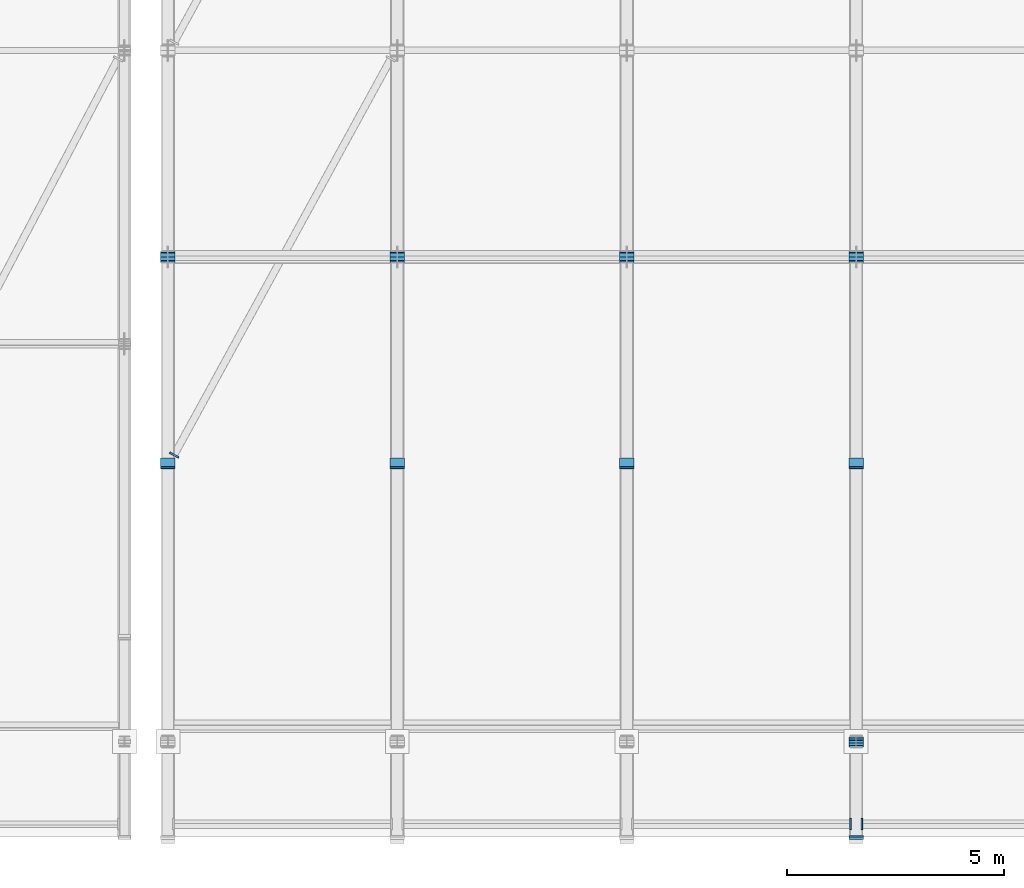
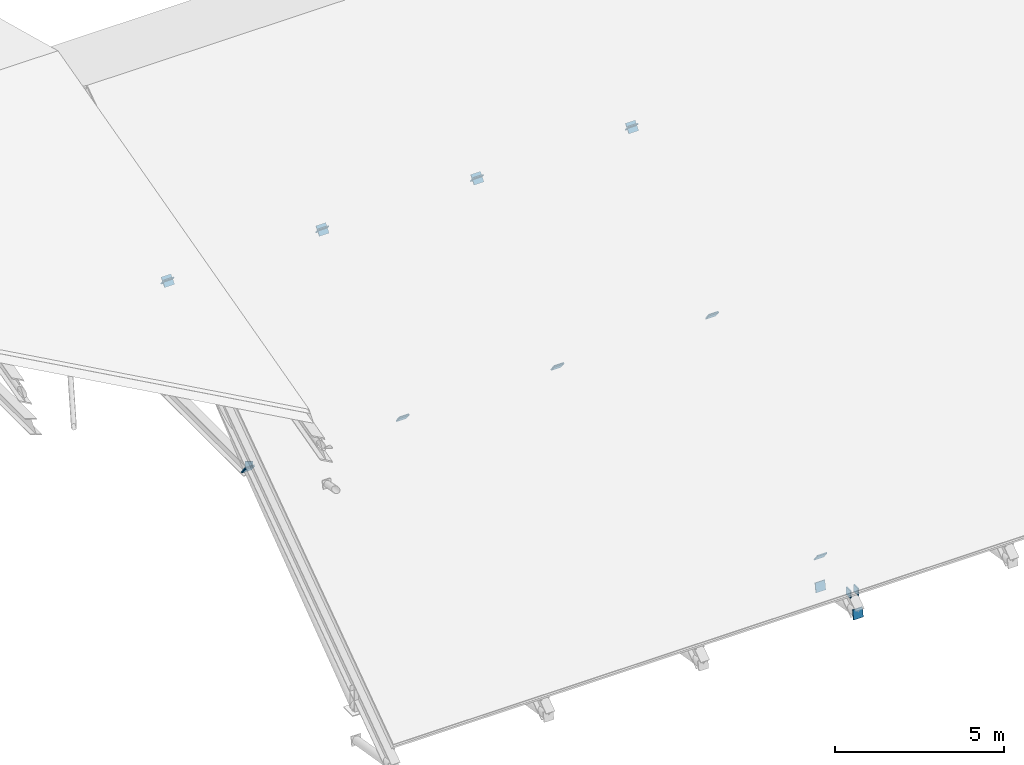
# One storey, part 46 of 57: 22 discrete accessories.
"""IFC4 building model written with IfcOpenShell, lengths in metres."""

from ifc_helpers import new_model, si_unit, direction, frame, origin, origin_2d, place, context, subcontext, project, spatial, rectangle, extrude, material, material_profile, profile_set, type_object, element, save


model = new_model("IFC4")

# Units and contexts
model_context = context("Model", 3, precision=1e-05, world=origin(), true_north=direction((0.0, 1.0)))
body_context = subcontext(model_context, "Body", "Model", "MODEL_VIEW")
ifc_project = project(units=[si_unit("LENGTHUNIT", "METRE"), si_unit("AREAUNIT", "SQUARE_METRE"), si_unit("VOLUMEUNIT", "CUBIC_METRE"), si_unit("PLANEANGLEUNIT", "RADIAN"), si_unit("MASSUNIT", "GRAM", prefix="KILO")], contexts=[model_context])

# Site, building, storey
site_placement = place(None, origin())
site = spatial("IfcSite", under=ifc_project, at=site_placement, CompositionType="ELEMENT")
building_placement = place(site_placement, origin())
building = spatial("IfcBuilding", under=site, at=building_placement, Name="Kelarvand Opera House", CompositionType="ELEMENT")
storey_placement = place(building_placement, frame((0.0, 0.0, 33.60009765625)))
storey = spatial("IfcBuildingStorey", under=building, at=storey_placement, Name="Roof", CompositionType="ELEMENT", Elevation=33.60009765625)

# Discrete accessories
ifc_material = material(Name="Steel S355", Category="steel")
ifc_material_profile_1 = material_profile(ifc_material, rectangle(XDim=0.22802734375, YDim=0.22802734375, at=origin_2d()), Name="Welded Steel Hollow End-Cap Plate 228x228x24", Category="steel")
ifc_profile_set_1 = profile_set([ifc_material_profile_1], Name="Steel S355")
discrete_accessory_type_1 = type_object("IfcDiscreteAccessoryType", Name="Welded Steel Hollow End-Cap Plate 228x228x24", PredefinedType="SHOE", material=ifc_profile_set_1)
discrete_accessory_1_placement = place(storey_placement, frame((89.15380859375, 53.20703125, -4.800048828125), z_axis=(-0.474099823035, -0.880471099922, 0.0), x_axis=(0.880471099922, -0.474099823035, 0.0)))
element("IfcDiscreteAccessory", 1, at=discrete_accessory_1_placement, inside=storey, type_object=discrete_accessory_type_1, Name="Hollow Section Welded End Cap 393", PredefinedType="SHOE", context=body_context, shape_type="SweptSolid", body=[
    extrude(rectangle(XDim=0.22802734375, YDim=0.22802734375, at=origin_2d()), origin(), (0.0, 0.0, 1.0), 0.0361328125),
])
ifc_material_profile_2 = material_profile(ifc_material, rectangle(XDim=0.260009765625, YDim=0.260009765625, at=origin_2d()), Name="Welded Steel Hollow End-Cap Plate 260x260x24", Category="steel")
ifc_profile_set_2 = profile_set([ifc_material_profile_2], Name="Steel S355")
discrete_accessory_type_2 = type_object("IfcDiscreteAccessoryType", Name="Welded Steel Hollow End-Cap Plate 260x260x24", PredefinedType="SHOE", material=ifc_profile_set_2)
for number, where, z_axis, x_axis, name in (
    (2, (104.69189453125, 44.699951171875, -9.721923828125), (1.0, 0.0, 0.0), (0.0, 1.0, 0.0), "Hollow Section Welded End Cap 402"),
    (3, (104.988037109375, 44.699951171875, -9.721923828125), (-1.0, 0.0, 0.0), (0.0, -1.0, 0.0), "Hollow Section Welded End Cap 405"),
):
    element("IfcDiscreteAccessory", number, at=place(storey_placement, frame(where, z_axis=z_axis, x_axis=x_axis)), inside=storey, type_object=discrete_accessory_type_2, Name=name, PredefinedType="SHOE", context=body_context, shape_type="SweptSolid", body=[
        extrude(rectangle(XDim=0.260009765625, YDim=0.260009765625, at=origin_2d()), origin(), (0.0, 0.0, 1.0), 0.0361328125),
    ])
ifc_material_profile_3 = material_profile(ifc_material, rectangle(XDim=0.3330078125, YDim=0.3330078125, at=origin_2d()), Name="Welded Steel Hollow End-Cap Plate 333x333x24", Category="steel")
ifc_profile_set_3 = profile_set([ifc_material_profile_3], Name="Steel S355")
discrete_accessory_type_3 = type_object("IfcDiscreteAccessoryType", Name="Welded Steel Hollow End-Cap Plate 333x333x24", PredefinedType="SHOE", material=ifc_profile_set_3)
discrete_accessory_2_placement = place(storey_placement, frame((89.0, 52.99365234375, -4.804931640625), z_axis=(0.0, 0.798373260242, 0.602162882725), x_axis=(-1.0, 0.0, 0.0)))
element("IfcDiscreteAccessory", 4, at=discrete_accessory_2_placement, inside=storey, type_object=discrete_accessory_type_3, Name="Hollow Section Welded End Cap 218", PredefinedType="SHOE", context=body_context, shape_type="SweptSolid", body=[
    extrude(rectangle(XDim=0.3330078125, YDim=0.3330078125, at=origin_2d()), origin(), (0.0, 0.0, 1.0), 0.0361328125),
])
for number, where, z_axis, x_axis, name in (
    (5, (89.0, 53.006103515625, -4.794921875), (0.0, -0.768778639846, -0.639514974739), (1.0, 0.0, 0.0), "Hollow Section Welded End Cap 221"),
    (6, (89.0, 57.743896484375, -0.896484375), (0.0, 0.768778639846, 0.639514974739), (-1.0, 0.0, 0.0), "Hollow Section Welded End Cap 222"),
    (7, (89.0, 57.756103515625, -0.896484375), (0.0, -0.768778639846, 0.639514974739), (1.0, 0.0, 0.0), "Hollow Section Welded End Cap 223"),
):
    element("IfcDiscreteAccessory", number, at=place(storey_placement, frame(where, z_axis=z_axis, x_axis=x_axis)), inside=storey, type_object=discrete_accessory_type_3, Name=name, PredefinedType="SHOE", context=body_context, shape_type="SweptSolid", body=[
        extrude(rectangle(XDim=0.3330078125, YDim=0.3330078125, at=origin_2d()), origin(), (0.0, 0.0, 1.0), 0.035888671875),
    ])
discrete_accessory_3_placement = place(storey_placement, frame((94.280029296875, 52.99365234375, -4.804931640625), z_axis=(0.0, 0.798373260242, 0.602162882725), x_axis=(-1.0, 0.0, 0.0)))
element("IfcDiscreteAccessory", 8, at=discrete_accessory_3_placement, inside=storey, type_object=discrete_accessory_type_3, Name="Hollow Section Welded End Cap 234", PredefinedType="SHOE", context=body_context, shape_type="SweptSolid", body=[
    extrude(rectangle(XDim=0.3330078125, YDim=0.3330078125, at=origin_2d()), origin(), (0.0, 0.0, 1.0), 0.0361328125),
])
for number, where, z_axis, x_axis, name in (
    (9, (94.280029296875, 53.006103515625, -4.794921875), (0.0, -0.768778639846, -0.639514974739), (1.0, 0.0, 0.0), "Hollow Section Welded End Cap 237"),
    (10, (94.280029296875, 57.743896484375, -0.896484375), (0.0, 0.768778639846, 0.639514974739), (-1.0, 0.0, 0.0), "Hollow Section Welded End Cap 238"),
    (11, (94.280029296875, 57.756103515625, -0.896484375), (0.0, -0.768778639846, 0.639514974739), (1.0, 0.0, 0.0), "Hollow Section Welded End Cap 239"),
):
    element("IfcDiscreteAccessory", number, at=place(storey_placement, frame(where, z_axis=z_axis, x_axis=x_axis)), inside=storey, type_object=discrete_accessory_type_3, Name=name, PredefinedType="SHOE", context=body_context, shape_type="SweptSolid", body=[
        extrude(rectangle(XDim=0.3330078125, YDim=0.3330078125, at=origin_2d()), origin(), (0.0, 0.0, 1.0), 0.035888671875),
    ])
discrete_accessory_4_placement = place(storey_placement, frame((99.56005859375, 52.99365234375, -4.804931640625), z_axis=(0.0, 0.798373260242, 0.602162882725), x_axis=(-1.0, 0.0, 0.0)))
element("IfcDiscreteAccessory", 12, at=discrete_accessory_4_placement, inside=storey, type_object=discrete_accessory_type_3, Name="Hollow Section Welded End Cap 250", PredefinedType="SHOE", context=body_context, shape_type="SweptSolid", body=[
    extrude(rectangle(XDim=0.3330078125, YDim=0.3330078125, at=origin_2d()), origin(), (0.0, 0.0, 1.0), 0.0361328125),
])
for number, where, z_axis, x_axis, name in (
    (13, (99.56005859375, 53.006103515625, -4.794921875), (0.0, -0.768778639846, -0.639514974739), (1.0, 0.0, 0.0), "Hollow Section Welded End Cap 253"),
    (14, (99.56005859375, 57.743896484375, -0.896484375), (0.0, 0.768778639846, 0.639514974739), (-1.0, 0.0, 0.0), "Hollow Section Welded End Cap 254"),
    (15, (99.56005859375, 57.756103515625, -0.896484375), (0.0, -0.768778639846, 0.639514974739), (1.0, 0.0, 0.0), "Hollow Section Welded End Cap 255"),
):
    element("IfcDiscreteAccessory", number, at=place(storey_placement, frame(where, z_axis=z_axis, x_axis=x_axis)), inside=storey, type_object=discrete_accessory_type_3, Name=name, PredefinedType="SHOE", context=body_context, shape_type="SweptSolid", body=[
        extrude(rectangle(XDim=0.3330078125, YDim=0.3330078125, at=origin_2d()), origin(), (0.0, 0.0, 1.0), 0.035888671875),
    ])
for number, where, z_axis, x_axis, name in (
    (16, (104.840087890625, 46.592041015625, -10.69873046875), (0.0, 0.986756818481, -0.162206600298), (-1.0, 0.0, 0.0), "Hollow Section Welded End Cap 261"),
    (17, (104.840087890625, 44.407958984375, -10.33349609375), (0.0, -0.986756818481, 0.162206600298), (1.0, 0.0, 0.0), "Hollow Section Welded End Cap 262"),
    (18, (104.840087890625, 46.6064453125, -9.59521484375), (0.0, -0.798373260242, -0.602162882725), (1.0, 0.0, 0.0), "Hollow Section Welded End Cap 265"),
    (19, (104.840087890625, 52.99365234375, -4.804931640625), (0.0, 0.798373260242, 0.602162882725), (-1.0, 0.0, 0.0), "Hollow Section Welded End Cap 266"),
):
    element("IfcDiscreteAccessory", number, at=place(storey_placement, frame(where, z_axis=z_axis, x_axis=x_axis)), inside=storey, type_object=discrete_accessory_type_3, Name=name, PredefinedType="SHOE", context=body_context, shape_type="SweptSolid", body=[
        extrude(rectangle(XDim=0.3330078125, YDim=0.3330078125, at=origin_2d()), origin(), (0.0, 0.0, 1.0), 0.0361328125),
    ])
for number, where, z_axis, x_axis, name in (
    (20, (104.840087890625, 53.006103515625, -4.794921875), (0.0, -0.768778639846, -0.639514974739), (1.0, 0.0, 0.0), "Hollow Section Welded End Cap 269"),
    (21, (104.840087890625, 57.743896484375, -0.896484375), (0.0, 0.768778639846, 0.639514974739), (-1.0, 0.0, 0.0), "Hollow Section Welded End Cap 270"),
    (22, (104.840087890625, 57.756103515625, -0.896484375), (0.0, -0.768778639846, 0.639514974739), (1.0, 0.0, 0.0), "Hollow Section Welded End Cap 271"),
):
    element("IfcDiscreteAccessory", number, at=place(storey_placement, frame(where, z_axis=z_axis, x_axis=x_axis)), inside=storey, type_object=discrete_accessory_type_3, Name=name, PredefinedType="SHOE", context=body_context, shape_type="SweptSolid", body=[
        extrude(rectangle(XDim=0.3330078125, YDim=0.3330078125, at=origin_2d()), origin(), (0.0, 0.0, 1.0), 0.035888671875),
    ])

save(model, "model.ifc")
